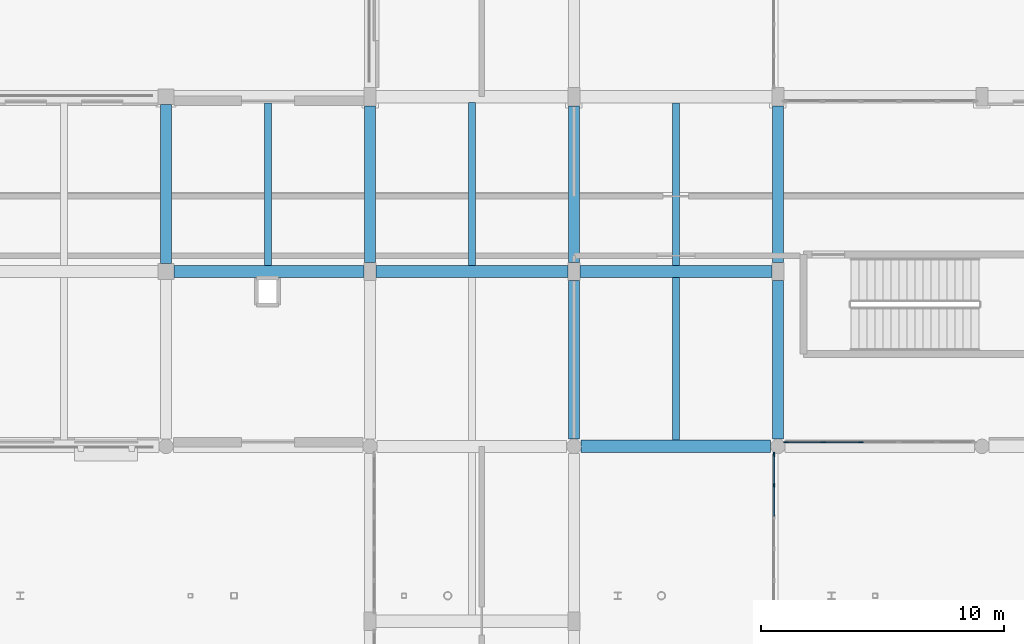
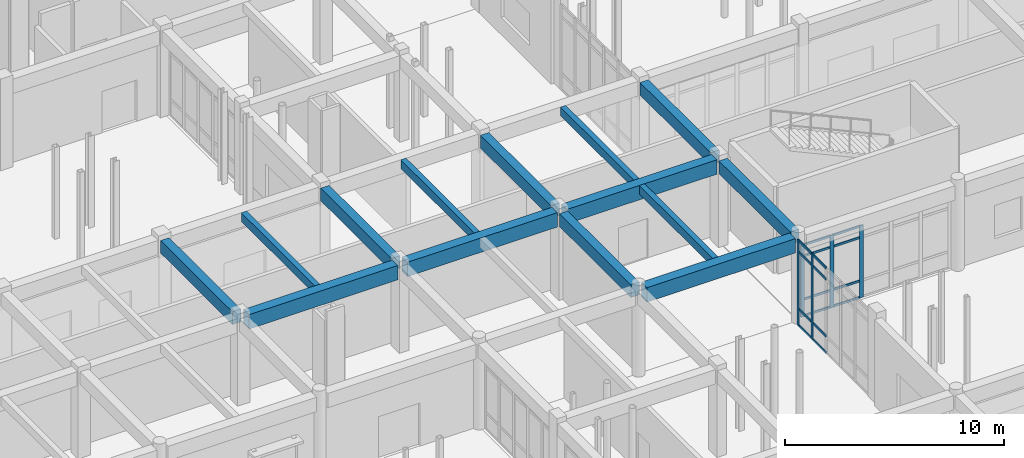
# One storey, part 40 of 121: 21 members, 14 beams, 2 elements without a shape of their own.
"""IFC4 building model written with IfcOpenShell, lengths in metres."""

from ifc_helpers import new_model, si_unit, direction, frame, origin, origin_2d, place, context, subcontext, project, spatial, rectangle, extrude, material, material_profile, profile_set, type_object, element, aggregate, save


model = new_model("IFC4")

# Units and contexts
model_context = context("Model", 3, precision=1e-05, world=origin(), true_north=direction((0.0, 1.0)))
body_context = subcontext(model_context, "Body", "Model", "MODEL_VIEW")
ifc_project = project(units=[si_unit("LENGTHUNIT", "METRE"), si_unit("AREAUNIT", "SQUARE_METRE"), si_unit("VOLUMEUNIT", "CUBIC_METRE"), si_unit("PLANEANGLEUNIT", "RADIAN"), si_unit("MASSUNIT", "GRAM", prefix="KILO")], contexts=[model_context])

# Site, building, storey
site_placement = place(None, origin())
site = spatial("IfcSite", under=ifc_project, at=site_placement, CompositionType="ELEMENT")
building_placement = place(site_placement, origin())
building = spatial("IfcBuilding", under=site, at=building_placement, Name="Malvenik Polytechnic", CompositionType="ELEMENT")
storey_placement = place(building_placement, origin())
storey = spatial("IfcBuildingStorey", under=building, at=storey_placement, Name="L00", CompositionType="ELEMENT", Elevation=0.0)

# Curtain wall, members
ifc_material_1 = material(Name="Anodised aluminium 6060-T6", Category="aluminium")
curtain_wall_type_1 = type_object("IfcCurtainWallType", Name="ARC-CW-CW-13", PredefinedType="NOTDEFINED", material=ifc_material_1)
curtain_wall_1_placement = place(storey_placement, origin())
curtain_wall_1 = element("IfcCurtainWall", 1, at=curtain_wall_1_placement, inside=storey, type_object=curtain_wall_type_1, Name="Unitised Curtain Wall CW-13 L00 #16", PredefinedType="NOTDEFINED")
ifc_material_2 = material(Name="Anodised aluminium", Category="aluminium")
ifc_material_profile_1 = material_profile(ifc_material_2, rectangle(XDim=0.06005859375, YDim=0.179931640625, at=origin_2d()), Name="ALU MULLION 60x180")
ifc_profile_set_1 = profile_set([ifc_material_profile_1], Name="Anodised aluminium")
member_type_1 = type_object("IfcMemberType", Name="ARC-CWM-180", PredefinedType="MULLION", material=ifc_profile_set_1)
member_1_placement = place(storey_placement, frame((92.22998046875, 50.072021484375, 0.0), z_axis=(0.0, 0.0, 1.0), x_axis=(1.0, 0.0, 0.0)))
member_1 = element("IfcMember", 2, at=member_1_placement, type_object=member_type_1, Name="CW-13 mullion 1", PredefinedType="MULLION", context=body_context, shape_type="SweptSolid", body=[
    extrude(rectangle(XDim=0.06005859375, YDim=0.179931640625, at=origin_2d()), origin(), (0.0, 0.0, 1.0), 4.760009765625),
])
member_2_placement = place(storey_placement, frame((92.22998046875, 48.796142578125, 0.0), z_axis=(0.0, 0.0, 1.0), x_axis=(1.0, 0.0, 0.0)))
member_2 = element("IfcMember", 3, at=member_2_placement, type_object=member_type_1, Name="CW-13 mullion 2", PredefinedType="MULLION", context=body_context, shape_type="SweptSolid", body=[
    extrude(rectangle(XDim=0.06005859375, YDim=0.179931640625, at=origin_2d()), origin(), (0.0, 0.0, 1.0), 4.760009765625),
])

curtain_wall_type_2 = type_object("IfcCurtainWallType", Name="ARC-CW-CW-01", PredefinedType="NOTDEFINED", material=ifc_material_1)
curtain_wall_2_placement = place(storey_placement, origin())
curtain_wall_2 = element("IfcCurtainWall", 4, at=curtain_wall_2_placement, inside=storey, type_object=curtain_wall_type_2, Name="Unitised Curtain Wall CW-01 L00 #15", PredefinedType="NOTDEFINED")
ifc_material_profile_2 = material_profile(ifc_material_2, rectangle(XDim=0.06005859375, YDim=0.199951171875, at=origin_2d()), Name="ALU MULLION 60x200")
ifc_profile_set_2 = profile_set([ifc_material_profile_2], Name="Anodised aluminium")
member_type_2 = type_object("IfcMemberType", Name="ARC-CWM-200", PredefinedType="MULLION", material=ifc_profile_set_2)
member_3_placement = place(storey_placement, frame((95.819580078125, 50.570068359375, 0.0), z_axis=(0.0, 0.0, 1.0), x_axis=(0.0, -1.0, 0.0)))
member_3 = element("IfcMember", 5, at=member_3_placement, type_object=member_type_2, Name="CW-01 mullion 4", PredefinedType="MULLION", context=body_context, shape_type="SweptSolid", body=[
    extrude(rectangle(XDim=0.06005859375, YDim=0.199951171875, at=origin_2d()), origin(), (0.0, 0.0, 1.0), 4.010009765625),
])
member_4_placement = place(storey_placement, frame((94.2587890625, 50.570068359375, 0.0), z_axis=(0.0, 0.0, 1.0), x_axis=(0.0, -1.0, 0.0)))
member_4 = element("IfcMember", 6, at=member_4_placement, type_object=member_type_2, Name="CW-01 mullion 5", PredefinedType="MULLION", context=body_context, shape_type="SweptSolid", body=[
    extrude(rectangle(XDim=0.06005859375, YDim=0.199951171875, at=origin_2d()), origin(), (0.0, 0.0, 1.0), 4.010009765625),
])
member_5_placement = place(storey_placement, frame((92.72802734375, 50.570068359375, 0.0), z_axis=(0.0, 0.0, 1.0), x_axis=(0.0, -1.0, 0.0)))
member_5 = element("IfcMember", 7, at=member_5_placement, type_object=member_type_2, Name="CW-01 mullion 6", PredefinedType="MULLION", context=body_context, shape_type="SweptSolid", body=[
    extrude(rectangle(XDim=0.06005859375, YDim=0.199951171875, at=origin_2d()), origin(), (0.0, 0.0, 1.0), 4.010009765625),
])
ifc_material_profile_3 = material_profile(ifc_material_2, rectangle(XDim=0.06005859375, YDim=0.1201171875, at=origin_2d()), Name="ALU TRANSOM 60x120")
ifc_profile_set_3 = profile_set([ifc_material_profile_3], Name="Anodised aluminium")
member_type_3 = type_object("IfcMemberType", Name="ARC-CWT-120", PredefinedType="USERDEFINED", material=ifc_profile_set_3)
member_6_placement = place(storey_placement, frame((95.78955078125, 50.570068359375, 0.030029296875), z_axis=(-1.0, 0.0, 0.0), x_axis=(0.0, -1.0, 0.0)))
member_6 = element("IfcMember", 8, at=member_6_placement, type_object=member_type_3, Name="CW-01 transom 4.1", ObjectType="TRANSOM", PredefinedType="USERDEFINED", context=body_context, shape_type="SweptSolid", body=[
    extrude(rectangle(XDim=0.06005859375, YDim=0.1201171875, at=origin_2d()), origin(), (0.0, 0.0, 1.0), 1.500732421875),
])
member_7_placement = place(storey_placement, frame((95.78955078125, 50.570068359375, 0.949951171875), z_axis=(-1.0, 0.0, 0.0), x_axis=(0.0, -1.0, 0.0)))
member_7 = element("IfcMember", 9, at=member_7_placement, type_object=member_type_3, Name="CW-01 transom 4.2", ObjectType="TRANSOM", PredefinedType="USERDEFINED", context=body_context, shape_type="SweptSolid", body=[
    extrude(rectangle(XDim=0.06005859375, YDim=0.1201171875, at=origin_2d()), origin(), (0.0, 0.0, 1.0), 1.500732421875),
])
member_8_placement = place(storey_placement, frame((95.78955078125, 50.570068359375, 3.360107421875), z_axis=(-1.0, 0.0, 0.0), x_axis=(0.0, -1.0, 0.0)))
member_8 = element("IfcMember", 10, at=member_8_placement, type_object=member_type_3, Name="CW-01 transom 4.3", ObjectType="TRANSOM", PredefinedType="USERDEFINED", context=body_context, shape_type="SweptSolid", body=[
    extrude(rectangle(XDim=0.06005859375, YDim=0.1201171875, at=origin_2d()), origin(), (0.0, 0.0, 1.0), 1.500732421875),
])
member_9_placement = place(storey_placement, frame((95.78955078125, 50.570068359375, 3.97998046875), z_axis=(-1.0, 0.0, 0.0), x_axis=(0.0, -1.0, 0.0)))
member_9 = element("IfcMember", 11, at=member_9_placement, type_object=member_type_3, Name="CW-01 transom 4.4", ObjectType="TRANSOM", PredefinedType="USERDEFINED", context=body_context, shape_type="SweptSolid", body=[
    extrude(rectangle(XDim=0.06005859375, YDim=0.1201171875, at=origin_2d()), origin(), (0.0, 0.0, 1.0), 1.500732421875),
])
member_10_placement = place(storey_placement, frame((94.228759765625, 50.570068359375, 0.030029296875), z_axis=(-1.0, 0.0, 0.0), x_axis=(0.0, -1.0, 0.0)))
member_10 = element("IfcMember", 12, at=member_10_placement, type_object=member_type_3, Name="CW-01 transom 5.1", ObjectType="TRANSOM", PredefinedType="USERDEFINED", context=body_context, shape_type="SweptSolid", body=[
    extrude(rectangle(XDim=0.06005859375, YDim=0.1201171875, at=origin_2d()), origin(), (0.0, 0.0, 1.0), 1.470703125),
])
member_11_placement = place(storey_placement, frame((94.228759765625, 50.570068359375, 0.949951171875), z_axis=(-1.0, 0.0, 0.0), x_axis=(0.0, -1.0, 0.0)))
member_11 = element("IfcMember", 13, at=member_11_placement, type_object=member_type_3, Name="CW-01 transom 5.2", ObjectType="TRANSOM", PredefinedType="USERDEFINED", context=body_context, shape_type="SweptSolid", body=[
    extrude(rectangle(XDim=0.06005859375, YDim=0.1201171875, at=origin_2d()), origin(), (0.0, 0.0, 1.0), 1.470703125),
])
member_12_placement = place(storey_placement, frame((94.228759765625, 50.570068359375, 3.360107421875), z_axis=(-1.0, 0.0, 0.0), x_axis=(0.0, -1.0, 0.0)))
member_12 = element("IfcMember", 14, at=member_12_placement, type_object=member_type_3, Name="CW-01 transom 5.3", ObjectType="TRANSOM", PredefinedType="USERDEFINED", context=body_context, shape_type="SweptSolid", body=[
    extrude(rectangle(XDim=0.06005859375, YDim=0.1201171875, at=origin_2d()), origin(), (0.0, 0.0, 1.0), 1.470703125),
])
member_13_placement = place(storey_placement, frame((94.228759765625, 50.570068359375, 3.97998046875), z_axis=(-1.0, 0.0, 0.0), x_axis=(0.0, -1.0, 0.0)))
member_13 = element("IfcMember", 15, at=member_13_placement, type_object=member_type_3, Name="CW-01 transom 5.4", ObjectType="TRANSOM", PredefinedType="USERDEFINED", context=body_context, shape_type="SweptSolid", body=[
    extrude(rectangle(XDim=0.06005859375, YDim=0.1201171875, at=origin_2d()), origin(), (0.0, 0.0, 1.0), 1.470703125),
])
aggregate(curtain_wall_2, [member_3, member_4, member_5, member_6, member_7, member_8, member_9, member_10, member_11, member_12, member_13])

# Member
ifc_material_profile_4 = material_profile(ifc_material_2, rectangle(XDim=0.06005859375, YDim=0.139892578125, at=origin_2d()), Name="ALU TRANSOM 60x140")
ifc_profile_set_4 = profile_set([ifc_material_profile_4], Name="Anodised aluminium")
member_type_4 = type_object("IfcMemberType", Name="ARC-CWT-140", PredefinedType="USERDEFINED", material=ifc_profile_set_4)
member_14_placement = place(storey_placement, frame((92.22998046875, 50.0419921875, 0.030029296875), z_axis=(0.0, -1.0, 0.0), x_axis=(1.0, 0.0, 0.0)))
member_14 = element("IfcMember", 16, at=member_14_placement, type_object=member_type_4, Name="CW-13 transom 1.1", ObjectType="TRANSOM", PredefinedType="USERDEFINED", context=body_context, shape_type="SweptSolid", body=[
    extrude(rectangle(XDim=0.06005859375, YDim=0.139892578125, at=origin_2d()), origin(), (0.0, 0.0, 1.0), 1.2158203125),
])

member_15_placement = place(storey_placement, frame((92.22998046875, 50.0419921875, 0.949951171875), z_axis=(0.0, -1.0, 0.0), x_axis=(1.0, 0.0, 0.0)))
member_15 = element("IfcMember", 17, at=member_15_placement, type_object=member_type_4, Name="CW-13 transom 1.2", ObjectType="TRANSOM", PredefinedType="USERDEFINED", context=body_context, shape_type="SweptSolid", body=[
    extrude(rectangle(XDim=0.06005859375, YDim=0.139892578125, at=origin_2d()), origin(), (0.0, 0.0, 1.0), 1.2158203125),
])

member_16_placement = place(storey_placement, frame((92.22998046875, 50.0419921875, 4.110107421875), z_axis=(0.0, -1.0, 0.0), x_axis=(1.0, 0.0, 0.0)))
member_16 = element("IfcMember", 18, at=member_16_placement, type_object=member_type_4, Name="CW-13 transom 1.3", ObjectType="TRANSOM", PredefinedType="USERDEFINED", context=body_context, shape_type="SweptSolid", body=[
    extrude(rectangle(XDim=0.06005859375, YDim=0.139892578125, at=origin_2d()), origin(), (0.0, 0.0, 1.0), 1.2158203125),
])

member_17_placement = place(storey_placement, frame((92.22998046875, 50.0419921875, 4.72998046875), z_axis=(0.0, -1.0, 0.0), x_axis=(1.0, 0.0, 0.0)))
member_17 = element("IfcMember", 19, at=member_17_placement, type_object=member_type_4, Name="CW-13 transom 1.4", ObjectType="TRANSOM", PredefinedType="USERDEFINED", context=body_context, shape_type="SweptSolid", body=[
    extrude(rectangle(XDim=0.06005859375, YDim=0.139892578125, at=origin_2d()), origin(), (0.0, 0.0, 1.0), 1.2158203125),
])

member_18_placement = place(storey_placement, frame((92.22998046875, 48.76611328125, 0.030029296875), z_axis=(0.0, -1.0, 0.0), x_axis=(1.0, 0.0, 0.0)))
member_18 = element("IfcMember", 20, at=member_18_placement, type_object=member_type_4, Name="CW-13 transom 2.1", ObjectType="TRANSOM", PredefinedType="USERDEFINED", context=body_context, shape_type="SweptSolid", body=[
    extrude(rectangle(XDim=0.06005859375, YDim=0.139892578125, at=origin_2d()), origin(), (0.0, 0.0, 1.0), 1.24560546875),
])

member_19_placement = place(storey_placement, frame((92.22998046875, 48.76611328125, 0.949951171875), z_axis=(0.0, -1.0, 0.0), x_axis=(1.0, 0.0, 0.0)))
member_19 = element("IfcMember", 21, at=member_19_placement, type_object=member_type_4, Name="CW-13 transom 2.2", ObjectType="TRANSOM", PredefinedType="USERDEFINED", context=body_context, shape_type="SweptSolid", body=[
    extrude(rectangle(XDim=0.06005859375, YDim=0.139892578125, at=origin_2d()), origin(), (0.0, 0.0, 1.0), 1.24560546875),
])

member_20_placement = place(storey_placement, frame((92.22998046875, 48.76611328125, 4.110107421875), z_axis=(0.0, -1.0, 0.0), x_axis=(1.0, 0.0, 0.0)))
member_20 = element("IfcMember", 22, at=member_20_placement, type_object=member_type_4, Name="CW-13 transom 2.3", ObjectType="TRANSOM", PredefinedType="USERDEFINED", context=body_context, shape_type="SweptSolid", body=[
    extrude(rectangle(XDim=0.06005859375, YDim=0.139892578125, at=origin_2d()), origin(), (0.0, 0.0, 1.0), 1.24560546875),
])

member_21_placement = place(storey_placement, frame((92.22998046875, 48.76611328125, 4.72998046875), z_axis=(0.0, -1.0, 0.0), x_axis=(1.0, 0.0, 0.0)))
member_21 = element("IfcMember", 23, at=member_21_placement, type_object=member_type_4, Name="CW-13 transom 2.4", ObjectType="TRANSOM", PredefinedType="USERDEFINED", context=body_context, shape_type="SweptSolid", body=[
    extrude(rectangle(XDim=0.06005859375, YDim=0.139892578125, at=origin_2d()), origin(), (0.0, 0.0, 1.0), 1.24560546875),
])

aggregate(curtain_wall_1, [member_1, member_2, member_14, member_15, member_16, member_17, member_18, member_19, member_20, member_21])

# Beams
ifc_material_3 = material(Name="Concrete C35/45", Category="concrete")
ifc_material_profile_5 = material_profile(ifc_material_3, rectangle(XDim=0.5, YDim=0.800048828125, at=origin_2d()), Name="RC BM 500x800")
ifc_profile_set_5 = profile_set([ifc_material_profile_5], Name="Concrete C35/45")
beam_type_1 = type_object("IfcBeamType", Name="STR-BM-B-02", PredefinedType="BEAM", material=ifc_profile_set_5)
beam_1_placement = place(storey_placement, frame((67.52294921875, 57.60009765625, 4.419921875), z_axis=(1.0, 0.0, 0.0), x_axis=(0.0, 1.0, 0.0)))
element("IfcBeam", 24, at=beam_1_placement, inside=storey, type_object=beam_type_1, Name="Primary Beam B-02 L00 #590", PredefinedType="BEAM", context=body_context, shape_type="SweptSolid", body=[
    extrude(rectangle(XDim=0.5, YDim=0.800048828125, at=origin_2d()), origin(), (0.0, 0.0, 1.0), 7.8291015625),
])
for number, where, z_axis, x_axis, name in (
    (25, (75.847900390625, 57.60009765625, 4.419921875), (1.0, 0.0, 0.0), (0.0, 1.0, 0.0), "Primary Beam B-02 L00 #591"),
    (26, (84.248046875, 57.60009765625, 4.419921875), (1.0, 0.0, 0.0), (0.0, 1.0, 0.0), "Primary Beam B-02 L00 #592"),
):
    element("IfcBeam", number, at=place(storey_placement, frame(where, z_axis=z_axis, x_axis=x_axis)), inside=storey, type_object=beam_type_1, Name=name, PredefinedType="BEAM", context=body_context, shape_type="SweptSolid", body=[
        extrude(rectangle(XDim=0.5, YDim=0.800048828125, at=origin_2d()), origin(), (0.0, 0.0, 1.0), 7.904052734375),
    ])
ifc_material_profile_6 = material_profile(ifc_material_3, rectangle(XDim=0.449951171875, YDim=0.699951171875, at=origin_2d()), Name="RC BM 450x700")
ifc_profile_set_6 = profile_set([ifc_material_profile_6], Name="Concrete C35/45")
beam_type_2 = type_object("IfcBeamType", Name="STR-BM-B-04", PredefinedType="BEAM", material=ifc_profile_set_6)
beam_2_placement = place(storey_placement, frame((67.199951171875, 57.923095703125, 4.469970703125), z_axis=(0.0, 1.0, 0.0), x_axis=(-1.0, 0.0, 0.0)))
element("IfcBeam", 27, at=beam_2_placement, inside=storey, type_object=beam_type_2, Name="Transverse Beam B-04 L00 #761", PredefinedType="BEAM", context=body_context, shape_type="SweptSolid", body=[
    extrude(rectangle(XDim=0.449951171875, YDim=0.699951171875, at=origin_2d()), origin(), (0.0, 0.0, 1.0), 6.553955078125),
])
beam_3_placement = place(storey_placement, frame((75.60009765625, 57.972900390625, 4.469970703125), z_axis=(0.0, 1.0, 0.0), x_axis=(-1.0, 0.0, 0.0)))
element("IfcBeam", 28, at=beam_3_placement, inside=storey, type_object=beam_type_2, Name="Transverse Beam B-04 L00 #771", PredefinedType="BEAM", context=body_context, shape_type="SweptSolid", body=[
    extrude(rectangle(XDim=0.449951171875, YDim=0.699951171875, at=origin_2d()), origin(), (0.0, 0.0, 1.0), 6.4541015625),
])
beam_4_placement = place(storey_placement, frame((84.0, 50.697998046875, 4.469970703125), z_axis=(0.0, 1.0, 0.0), x_axis=(-1.0, 0.0, 0.0)))
element("IfcBeam", 29, at=beam_4_placement, inside=storey, type_object=beam_type_2, Name="Transverse Beam B-04 L00 #783", PredefinedType="BEAM", context=body_context, shape_type="SweptSolid", body=[
    extrude(rectangle(XDim=0.449951171875, YDim=0.699951171875, at=origin_2d()), origin(), (0.0, 0.0, 1.0), 6.529052734375),
])
beam_5_placement = place(storey_placement, frame((84.0, 57.972900390625, 4.469970703125), z_axis=(0.0, 1.0, 0.0), x_axis=(-1.0, 0.0, 0.0)))
element("IfcBeam", 30, at=beam_5_placement, inside=storey, type_object=beam_type_2, Name="Transverse Beam B-04 L00 #784", PredefinedType="BEAM", context=body_context, shape_type="SweptSolid", body=[
    extrude(rectangle(XDim=0.449951171875, YDim=0.699951171875, at=origin_2d()), origin(), (0.0, 0.0, 1.0), 6.4541015625),
])
beam_6_placement = place(storey_placement, frame((92.39990234375, 50.697998046875, 4.469970703125), z_axis=(0.0, 1.0, 0.0), x_axis=(-1.0, 0.0, 0.0)))
element("IfcBeam", 31, at=beam_6_placement, inside=storey, type_object=beam_type_2, Name="Transverse Beam B-04 L00 #796", PredefinedType="BEAM", context=body_context, shape_type="SweptSolid", body=[
    extrude(rectangle(XDim=0.449951171875, YDim=0.699951171875, at=origin_2d()), origin(), (0.0, 0.0, 1.0), 6.529052734375),
])
beam_7_placement = place(storey_placement, frame((92.39990234375, 57.972900390625, 4.469970703125), z_axis=(0.0, 1.0, 0.0), x_axis=(-1.0, 0.0, 0.0)))
element("IfcBeam", 32, at=beam_7_placement, inside=storey, type_object=beam_type_2, Name="Transverse Beam B-04 L00 #797", PredefinedType="BEAM", context=body_context, shape_type="SweptSolid", body=[
    extrude(rectangle(XDim=0.449951171875, YDim=0.699951171875, at=origin_2d()), origin(), (0.0, 0.0, 1.0), 6.4541015625),
])
ifc_material_4 = material(Name="Concrete C30/37", Category="concrete")
ifc_material_profile_7 = material_profile(ifc_material_4, rectangle(XDim=0.280029296875, YDim=0.47998046875, at=origin_2d()), Name="RC JST 280x480")
ifc_profile_set_7 = profile_set([ifc_material_profile_7], Name="Concrete C30/37")
beam_type_3 = type_object("IfcBeamType", Name="STR-BM-J-01", PredefinedType="JOIST", material=ifc_profile_set_7)
beam_8_placement = place(storey_placement, frame((71.39990234375, 57.847900390625, 4.580078125), z_axis=(0.0, 1.0, 0.0), x_axis=(-1.0, 0.0, 0.0)))
element("IfcBeam", 33, at=beam_8_placement, inside=storey, type_object=beam_type_3, Name="Secondary Rib Joist J-01 L00 #897", PredefinedType="JOIST", context=body_context, shape_type="SweptSolid", body=[
    extrude(rectangle(XDim=0.280029296875, YDim=0.47998046875, at=origin_2d()), origin(), (0.0, 0.0, 1.0), 6.694091796875),
])
beam_9_placement = place(storey_placement, frame((79.800048828125, 57.847900390625, 4.580078125), z_axis=(0.0, 1.0, 0.0), x_axis=(-1.0, 0.0, 0.0)))
element("IfcBeam", 34, at=beam_9_placement, inside=storey, type_object=beam_type_3, Name="Secondary Rib Joist J-01 L00 #903", PredefinedType="JOIST", context=body_context, shape_type="SweptSolid", body=[
    extrude(rectangle(XDim=0.280029296875, YDim=0.47998046875, at=origin_2d()), origin(), (0.0, 0.0, 1.0), 6.7041015625),
])
for number, where, z_axis, x_axis, name in (
    (35, (88.199951171875, 50.657958984375, 4.580078125), (0.0, 1.0, 0.0), (-1.0, 0.0, 0.0), "Secondary Rib Joist J-01 L00 #910"),
    (36, (88.199951171875, 57.847900390625, 4.580078125), (0.0, 1.0, 0.0), (-1.0, 0.0, 0.0), "Secondary Rib Joist J-01 L00 #911"),
):
    element("IfcBeam", number, at=place(storey_placement, frame(where, z_axis=z_axis, x_axis=x_axis)), inside=storey, type_object=beam_type_3, Name=name, PredefinedType="JOIST", context=body_context, shape_type="SweptSolid", body=[
        extrude(rectangle(XDim=0.280029296875, YDim=0.47998046875, at=origin_2d()), origin(), (0.0, 0.0, 1.0), 6.694091796875),
    ])
ifc_material_5 = material(Name="Precast concrete C40/50", Category="concrete")
ifc_material_profile_8 = material_profile(ifc_material_5, rectangle(XDim=0.52001953125, YDim=0.800048828125, at=origin_2d()), Name="PC SPN 520x800")
ifc_profile_set_8 = profile_set([ifc_material_profile_8], Name="Precast concrete C40/50")
beam_type_4 = type_object("IfcBeamType", Name="STR-BM-SP-01", PredefinedType="SPANDREL", material=ifc_profile_set_8)
beam_10_placement = place(storey_placement, frame((84.298095703125, 50.39990234375, 4.419921875), z_axis=(1.0, 0.0, 0.0), x_axis=(0.0, 1.0, 0.0)))
element("IfcBeam", 37, at=beam_10_placement, inside=storey, type_object=beam_type_4, Name="Primary Beam SP-01 L00 #579", PredefinedType="SPANDREL", context=body_context, shape_type="SweptSolid", body=[
    extrude(rectangle(XDim=0.52001953125, YDim=0.800048828125, at=origin_2d()), origin(), (0.0, 0.0, 1.0), 7.803955078125),
])

save(model, "model.ifc")
